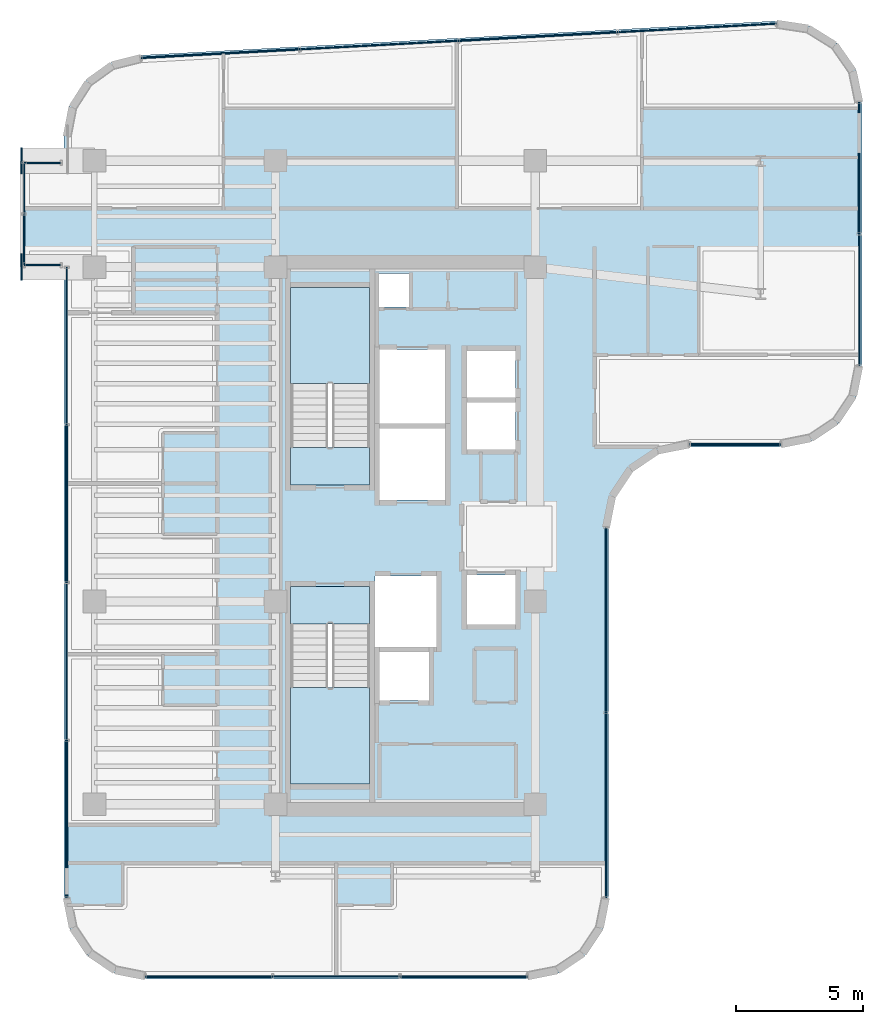
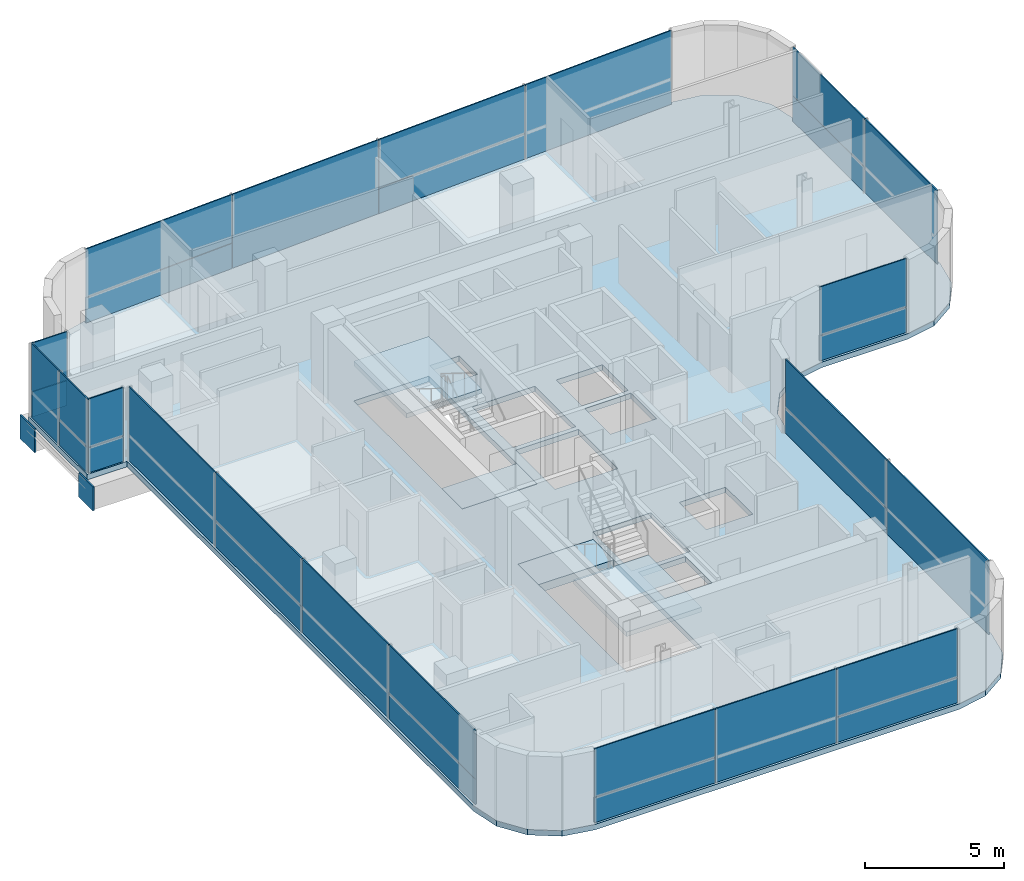
# One storey, part 16 of 23: 34 plates, 5 slabs, 11 elements without a shape of their own.
"""IFC4 building model written with IfcOpenShell, lengths in metres."""

from ifc_helpers import new_model, si_unit, direction, frame, origin, origin_2d, place, context, subcontext, project, spatial, polyline, rectangle, outline, extrude, source, transform, mapped, material, layer, layer_set, type_object, element, aggregate, save


model = new_model("IFC4")

# Units and contexts
model_context = context("Model", 3, precision=1e-05, world=origin(), true_north=direction((0.0, 1.0)))
body_context = subcontext(model_context, "Body", "Model", "MODEL_VIEW")
ifc_project = project(units=[si_unit("LENGTHUNIT", "METRE"), si_unit("AREAUNIT", "SQUARE_METRE"), si_unit("VOLUMEUNIT", "CUBIC_METRE"), si_unit("PLANEANGLEUNIT", "RADIAN"), si_unit("MASSUNIT", "GRAM", prefix="KILO")], contexts=[model_context])

# Site, building, storey
site_placement = place(None, origin())
site = spatial("IfcSite", under=ifc_project, at=site_placement, CompositionType="ELEMENT")
building_placement = place(site_placement, origin())
building = spatial("IfcBuilding", under=site, at=building_placement, Name="Valdorenza Pilgrim Sanctuary Tower", CompositionType="ELEMENT")
storey_placement = place(building_placement, frame((0.0, 0.0, 226.5)))
storey = spatial("IfcBuildingStorey", under=building, at=storey_placement, Name="L58", CompositionType="ELEMENT", Elevation=226.5)

# Slab
ifc_material_1 = material(Name="Concrete C40/50", Category="concrete")
ifc_layer_1 = layer(ifc_material_1, 0.239990234375, Name="Concrete C40/50")
ifc_layer_set_1 = layer_set([ifc_layer_1], Name="Concrete C40/50")
slab_type_1 = type_object("IfcSlabType", Name="SLAB-FLR-220", PredefinedType="FLOOR", material=ifc_layer_set_1)
slab_1_placement = place(storey_placement, frame((0.0, 0.0, -0.239990234375)))
element("IfcSlab", 1, at=slab_1_placement, inside=storey, type_object=slab_type_1, Name="L58 Structural Floor Slab 1", PredefinedType="FLOOR", context=body_context, shape_type="SweptSolid", body=[
    extrude(outline(polyline([(-30.772705078125, 16.95263671875), (-30.122802734375, 17.968994140625), (-29.14306640625, 18.672607421875), (-27.972412109375, 18.96337890625), (-2.872314453125, 20.318115234375), (-1.595947265625, 20.126220703125), (-0.4990234375, 19.445556640625), (0.239501953125, 18.386962890625), (0.5, 17.12255859375), (0.5, 6.699951171875), (0.25634765625, 5.475341796875), (-0.437255859375, 4.437255859375), (-1.475341796875, 3.74365234375), (-2.699951171875, 3.5), (-6.300048828125, 3.5), (-7.524658203125, 3.25634765625), (-8.562744140625, 2.562744140625), (-9.25634765625, 1.524658203125), (-9.5, 0.300048828125), (-9.5, -14.300048828125), (-9.74365234375, -15.524658203125), (-10.437255859375, -16.562744140625), (-11.475341796875, -17.25634765625), (-12.699951171875, -17.5), (-27.800048828125, -17.5), (-29.024658203125, -17.25634765625), (-30.062744140625, -16.562744140625), (-30.75634765625, -15.524658203125), (-31.0, -14.300048828125), (-31.0, 10.60009765625), (-32.64990234375, 10.60009765625), (-32.64990234375, 14.800048828125), (-31.0, 14.800048828125), (-31.0, 15.76806640625), (-30.772705078125, 16.95263671875)]), holes=[polyline([(-22.050048828125, -9.800048828125), (-18.93994140625, -9.800048828125), (-18.93994140625, -3.485107421875), (-18.93994140625, -2.0), (-22.050048828125, -2.0), (-22.050048828125, -3.485107421875), (-22.050048828125, -9.800048828125)]), polyline([(-16.60009765625, -6.5), (-16.60009765625, -4.60009765625), (-18.550048828125, -4.60009765625), (-18.550048828125, -6.5), (-16.60009765625, -6.5)]), polyline([(-22.050048828125, 2.0), (-18.93994140625, 2.0), (-18.93994140625, 3.485107421875), (-18.93994140625, 9.800048828125), (-22.050048828125, 9.800048828125), (-22.050048828125, 3.485107421875), (-22.050048828125, 2.0)]), polyline([(-17.360107421875, 9.030029296875), (-17.360107421875, 10.35009765625), (-18.570068359375, 10.35009765625), (-18.570068359375, 9.030029296875), (-17.360107421875, 9.030029296875)]), polyline([(-16.300048828125, -1.60009765625), (-18.719970703125, -1.60009765625), (-18.719970703125, -4.39990234375), (-16.300048828125, -4.39990234375), (-16.300048828125, -1.60009765625)]), polyline([(-13.179931640625, -3.5), (-13.179931640625, -1.550048828125), (-15.10009765625, -1.550048828125), (-15.10009765625, -3.5), (-13.179931640625, -3.5)]), polyline([(-15.949951171875, 1.39990234375), (-15.949951171875, 4.22509765625), (-18.550048828125, 4.22509765625), (-18.550048828125, 1.39990234375), (-15.949951171875, 1.39990234375)]), polyline([(-13.179931640625, 5.25), (-15.10009765625, 5.25), (-15.10009765625, 3.39990234375), (-13.179931640625, 3.39990234375), (-13.179931640625, 5.25)]), polyline([(-15.949951171875, 4.425048828125), (-15.949951171875, 7.35009765625), (-18.550048828125, 7.35009765625), (-18.550048828125, 4.425048828125), (-15.949951171875, 4.425048828125)]), polyline([(-13.179931640625, 5.449951171875), (-13.179931640625, 7.300048828125), (-15.10009765625, 7.300048828125), (-15.10009765625, 5.449951171875), (-13.179931640625, 5.449951171875)])]), origin(), (0.0, 0.0, 1.0), 0.239990234375),
])

# Stair, slab
stair_type = type_object("IfcStairType", Name="STR-DOG-CORE", PredefinedType="HALF_TURN_STAIR", material=ifc_material_1)
stair_1_placement = place(storey_placement, origin())
stair_1 = element("IfcStair", 2, at=stair_1_placement, inside=storey, type_object=stair_type, Name="L58 ST-A1", PredefinedType="HALF_TURN_STAIR")
ifc_layer_2 = layer(ifc_material_1, 0.199951171875, Name="Concrete C40/50")
ifc_layer_set_2 = layer_set([ifc_layer_2], Name="Concrete C40/50")
slab_type_2 = type_object("IfcSlabType", Name="SLAB-STL-200", PredefinedType="LANDING", material=ifc_layer_set_2)
slab_2_placement = place(storey_placement, frame((0.0, 0.0, 1.550048828125)))
slab_2 = element("IfcSlab", 3, at=slab_2_placement, type_object=slab_type_2, Name="ST-A1 landing 1", PredefinedType="LANDING", context=body_context, shape_type="SweptSolid", body=[
    extrude(outline(polyline([(-18.93994140625, 6.0), (-18.93994140625, 9.800048828125), (-22.050048828125, 9.800048828125), (-22.050048828125, 6.0), (-18.93994140625, 6.0)])), origin(), (0.0, 0.0, 1.0), 0.199951171875),
])
aggregate(stair_1, [slab_2])

stair_2_placement = place(storey_placement, origin())
stair_2 = element("IfcStair", 4, at=stair_2_placement, inside=storey, type_object=stair_type, Name="L58 ST-A2", PredefinedType="HALF_TURN_STAIR")
slab_3_placement = place(storey_placement, frame((0.0, 0.0, 1.550048828125)))
slab_3 = element("IfcSlab", 5, at=slab_3_placement, type_object=slab_type_2, Name="ST-A2 landing 1", PredefinedType="LANDING", context=body_context, shape_type="SweptSolid", body=[
    extrude(outline(polyline([(-22.050048828125, -6.0), (-22.050048828125, -9.800048828125), (-18.93994140625, -9.800048828125), (-18.93994140625, -6.0), (-22.050048828125, -6.0)])), origin(), (0.0, 0.0, 1.0), 0.199951171875),
])
aggregate(stair_2, [slab_3])

# Slabs
ifc_material_2 = material(Name="Concrete C50/60", Category="concrete")
ifc_layer_3 = layer(ifc_material_2, 0.39990234375, Name="Concrete C50/60")
ifc_layer_set_3 = layer_set([ifc_layer_3], Name="Concrete C50/60")
slab_type_3 = type_object("IfcSlabType", Name="SLAB-TRF-400", PredefinedType="FLOOR", material=ifc_layer_set_3)
slab_4_placement = place(storey_placement, frame((0.0, 0.0, -0.360107421875)))
element("IfcSlab", 6, at=slab_4_placement, inside=storey, type_object=slab_type_3, Name="L58 ST-A1 Structural Stair Landing Bearing Slab", PredefinedType="FLOOR", context=body_context, shape_type="SweptSolid", body=[
    extrude(outline(polyline([(-22.050048828125, 2.0), (-18.93994140625, 2.0), (-18.93994140625, 3.485107421875), (-22.050048828125, 3.485107421875), (-22.050048828125, 2.0)])), origin(), (0.0, 0.0, 1.0), 0.360107421875),
])
slab_5_placement = place(storey_placement, frame((0.0, 0.0, -0.360107421875)))
element("IfcSlab", 7, at=slab_5_placement, inside=storey, type_object=slab_type_3, Name="L58 ST-A2 Structural Stair Landing Bearing Slab", PredefinedType="FLOOR", context=body_context, shape_type="SweptSolid", body=[
    extrude(outline(polyline([(-22.050048828125, -3.485107421875), (-18.93994140625, -3.485107421875), (-18.93994140625, -2.0), (-22.050048828125, -2.0), (-22.050048828125, -3.485107421875)])), origin(), (0.0, 0.0, 1.0), 0.360107421875),
])

# Plates
ifc_material_3 = material(Name="Steel ASTM A572 Grade 42", Category="steel")
ifc_layer_4 = layer(ifc_material_3, 0.06005859375, Name="Steel ASTM A572 Grade 42")
ifc_layer_set_4 = layer_set([ifc_layer_4], Name="Steel ASTM A572 Grade 42")
plate_type_1 = type_object("IfcPlateType", Name="PLT-CAP-60", PredefinedType="SHEET", material=ifc_layer_set_4)
shared_shape_1 = source(origin(), body_context, "Body", "SweptSolid", [
    extrude(rectangle(XDim=0.06005859375, YDim=1.0400390625, at=origin_2d()), origin(), (0.0, 0.0, 1.0), 1.0400390625),
])
for number, where, z_axis, x_axis, name in (
    (8, (-32.679931640625, 14.800048828125, -1.260009765625), (0.0, 0.0, 1.0), (1.0, 0.0, 0.0), "L58 BOX-WA-L58 Cantilever Tip End Cap N"),
    (9, (-32.679931640625, 10.60009765625, -1.260009765625), (0.0, 0.0, 1.0), (1.0, 0.0, 0.0), "L58 BOX-WA-L58 Cantilever Tip End Cap S"),
):
    element("IfcPlate", number, at=place(storey_placement, frame(where, z_axis=z_axis, x_axis=x_axis)), inside=storey, type_object=plate_type_1, Name=name, PredefinedType="SHEET", context=body_context, shape_type="MappedRepresentation", body=[
        mapped(shared_shape_1, transform((0.0, 0.0, 0.0), x_axis=(1.0, 0.0, 0.0), y_axis=(0.0, 1.0, 0.0), z_axis=(0.0, 0.0, 1.0), scale=1.0)),
    ])

# Curtain wall, plate
ifc_material_4 = material(Name="Curtain-wall IGU glazing", Category="glass")
curtain_wall_type = type_object("IfcCurtainWallType", Name="CW-SYS-02", PredefinedType="NOTDEFINED", material=ifc_material_4)
curtain_wall_1_placement = place(storey_placement, origin())
curtain_wall_1 = element("IfcCurtainWall", 10, at=curtain_wall_1_placement, inside=storey, type_object=curtain_wall_type, Name="L58 Curtain Wall CW-L58-BOX-WA-L58-S", PredefinedType="NOTDEFINED")
ifc_material_5 = material(Name="Honed travertine limestone", Category="masonry")
ifc_layer_5 = layer(ifc_material_5, 0.050048828125, Name="Honed travertine limestone")
ifc_layer_set_5 = layer_set([ifc_layer_5], Name="Honed travertine limestone")
plate_type_2 = type_object("IfcPlateType", Name="CW-SPN-TRV", PredefinedType="USERDEFINED", material=ifc_layer_set_5)
shared_shape_2 = source(origin(), body_context, "Body", "SweptSolid", [
    extrude(rectangle(XDim=1.43994140625, YDim=0.06005859375, at=origin_2d()), origin(), (0.0, 0.0, 1.0), 1.10009765625),
])
plate_1_placement = place(storey_placement, frame((-31.840087890625, 10.679931640625, 0.010009765625), z_axis=(0.0, 0.0, 1.0), x_axis=(-1.0, 0.0, 0.0)))
plate_1 = element("IfcPlate", 11, at=plate_1_placement, type_object=plate_type_2, Name="CW-L58-BOX-WA-L58-S Travertine Spandrel 1", ObjectType="SPANDREL", PredefinedType="USERDEFINED", context=body_context, shape_type="MappedRepresentation", body=[
    mapped(shared_shape_2, transform((0.0, 0.0, 0.0), x_axis=(1.0, 0.0, 0.0), y_axis=(0.0, 1.0, 0.0), z_axis=(0.0, 0.0, 1.0), scale=1.0)),
])

curtain_wall_2_placement = place(storey_placement, origin())
curtain_wall_2 = element("IfcCurtainWall", 12, at=curtain_wall_2_placement, inside=storey, type_object=curtain_wall_type, Name="L58 Curtain Wall CW-L58-BOX-WA-L58-N", PredefinedType="NOTDEFINED")
plate_2_placement = place(storey_placement, frame((-31.840087890625, 14.719970703125, 0.010009765625), z_axis=(0.0, 0.0, 1.0), x_axis=(1.0, 0.0, 0.0)))
plate_2 = element("IfcPlate", 13, at=plate_2_placement, type_object=plate_type_2, Name="CW-L58-BOX-WA-L58-N Travertine Spandrel 1", ObjectType="SPANDREL", PredefinedType="USERDEFINED", context=body_context, shape_type="MappedRepresentation", body=[
    mapped(shared_shape_2, transform((0.0, 0.0, 0.0), x_axis=(1.0, 0.0, 0.0), y_axis=(0.0, 1.0, 0.0), z_axis=(0.0, 0.0, 1.0), scale=1.0)),
])

curtain_wall_3_placement = place(storey_placement, origin())
curtain_wall_3 = element("IfcCurtainWall", 14, at=curtain_wall_3_placement, inside=storey, type_object=curtain_wall_type, Name="L58 Curtain Wall CW-L58-BOX-WA-L58-F", PredefinedType="NOTDEFINED")
shared_shape_3 = source(origin(), body_context, "Body", "SweptSolid", [
    extrude(rectangle(XDim=2.0, YDim=0.06005859375, at=origin_2d()), origin(), (0.0, 0.0, 1.0), 1.10009765625),
])
plate_3_placement = place(storey_placement, frame((-32.570068359375, 11.68994140625, 0.010009765625), z_axis=(0.0, 0.0, 1.0), x_axis=(0.0, 1.0, 0.0)))
plate_3 = element("IfcPlate", 15, at=plate_3_placement, type_object=plate_type_2, Name="CW-L58-BOX-WA-L58-F Travertine Spandrel 1", ObjectType="SPANDREL", PredefinedType="USERDEFINED", context=body_context, shape_type="MappedRepresentation", body=[
    mapped(shared_shape_3, transform((0.0, 0.0, 0.0), x_axis=(1.0, 0.0, 0.0), y_axis=(0.0, 1.0, 0.0), z_axis=(0.0, 0.0, 1.0), scale=1.0)),
])

# Curtain wall, plates
curtain_wall_4_placement = place(storey_placement, origin())
curtain_wall_4 = element("IfcCurtainWall", 16, at=curtain_wall_4_placement, inside=storey, type_object=curtain_wall_type, Name="L58 Curtain Wall CW-L58-1-26", PredefinedType="NOTDEFINED")
shared_shape_4 = source(origin(), body_context, "Body", "SweptSolid", [
    extrude(rectangle(XDim=5.006103515625, YDim=0.06005859375, at=origin_2d()), origin(), (0.0, 0.0, 1.0), 1.10009765625),
])
plate_4_placement = place(storey_placement, frame((-15.223876953125, -17.389892578125, 0.010009765625), z_axis=(0.0, 0.0, 1.0), x_axis=(-1.0, 0.0, 0.0)))
plate_4 = element("IfcPlate", 17, at=plate_4_placement, type_object=plate_type_2, Name="CW-L58-1-26 Travertine Spandrel 1", ObjectType="SPANDREL", PredefinedType="USERDEFINED", context=body_context, shape_type="MappedRepresentation", body=[
    mapped(shared_shape_4, transform((0.0, 0.0, 0.0), x_axis=(1.0, 0.0, 0.0), y_axis=(0.0, 1.0, 0.0), z_axis=(0.0, 0.0, 1.0), scale=1.0)),
])
plate_5_placement = place(storey_placement, frame((-25.276123046875, -17.389892578125, 0.010009765625), z_axis=(0.0, 0.0, 1.0), x_axis=(-1.0, 0.0, 0.0)))
plate_5 = element("IfcPlate", 18, at=plate_5_placement, type_object=plate_type_2, Name="CW-L58-1-26 Travertine Spandrel 3", ObjectType="SPANDREL", PredefinedType="USERDEFINED", context=body_context, shape_type="MappedRepresentation", body=[
    mapped(shared_shape_4, transform((0.0, 0.0, 0.0), x_axis=(1.0, 0.0, 0.0), y_axis=(0.0, 1.0, 0.0), z_axis=(0.0, 0.0, 1.0), scale=1.0)),
])

curtain_wall_5_placement = place(storey_placement, origin())
curtain_wall_5 = element("IfcCurtainWall", 19, at=curtain_wall_5_placement, inside=storey, type_object=curtain_wall_type, Name="L58 Curtain Wall CW-L58-1-1S1", PredefinedType="NOTDEFINED")
shared_shape_5 = source(origin(), body_context, "Body", "SweptSolid", [
    extrude(rectangle(XDim=6.202392578125, YDim=0.06005859375, at=origin_2d()), origin(), (0.0, 0.0, 1.0), 1.10009765625),
])
plate_6_placement = place(storey_placement, frame((-30.889892578125, -11.177978515625, 0.010009765625), z_axis=(0.0, 0.0, 1.0), x_axis=(0.0, 1.0, 0.0)))
plate_6 = element("IfcPlate", 20, at=plate_6_placement, type_object=plate_type_2, Name="CW-L58-1-1S1 Travertine Spandrel 1", ObjectType="SPANDREL", PredefinedType="USERDEFINED", context=body_context, shape_type="MappedRepresentation", body=[
    mapped(shared_shape_5, transform((0.0, 0.0, 0.0), x_axis=(1.0, 0.0, 0.0), y_axis=(0.0, 1.0, 0.0), z_axis=(0.0, 0.0, 1.0), scale=1.0)),
])
plate_7_placement = place(storey_placement, frame((-30.889892578125, 1.2666015625, 0.010009765625), z_axis=(0.0, 0.0, 1.0), x_axis=(0.0, 1.0, 0.0)))
plate_7 = element("IfcPlate", 21, at=plate_7_placement, type_object=plate_type_2, Name="CW-L58-1-1S1 Travertine Spandrel 3", ObjectType="SPANDREL", PredefinedType="USERDEFINED", context=body_context, shape_type="MappedRepresentation", body=[
    mapped(shared_shape_5, transform((0.0, 0.0, 0.0), x_axis=(1.0, 0.0, 0.0), y_axis=(0.0, 1.0, 0.0), z_axis=(0.0, 0.0, 1.0), scale=1.0)),
])

curtain_wall_6_placement = place(storey_placement, origin())
curtain_wall_6 = element("IfcCurtainWall", 22, at=curtain_wall_6_placement, inside=storey, type_object=curtain_wall_type, Name="L58 Curtain Wall CW-L58-1-6", PredefinedType="NOTDEFINED")
shared_shape_6 = source(origin(), body_context, "Body", "SweptSolid", [
    extrude(rectangle(XDim=6.2587890625, YDim=0.06005859375, at=origin_2d()), origin(), (0.0, 0.0, 1.0), 1.10009765625),
])
plate_8_placement = place(storey_placement, frame((-24.8212890625, 19.023193359375, 0.010009765625), z_axis=(0.0, 0.0, 1.0), x_axis=(0.998547034311, 0.053887106711, 0.0)))
plate_8 = element("IfcPlate", 23, at=plate_8_placement, type_object=plate_type_2, Name="CW-L58-1-6 Travertine Spandrel 1", ObjectType="SPANDREL", PredefinedType="USERDEFINED", context=body_context, shape_type="MappedRepresentation", body=[
    mapped(shared_shape_6, transform((0.0, 0.0, 0.0), x_axis=(1.0, 0.0, 0.0), y_axis=(0.0, 1.0, 0.0), z_axis=(0.0, 0.0, 1.0), scale=1.0)),
])
plate_9_placement = place(storey_placement, frame((-12.281982421875, 19.699951171875, 0.010009765625), z_axis=(0.0, 0.0, 1.0), x_axis=(0.998547034311, 0.053887106711, 0.0)))
plate_9 = element("IfcPlate", 24, at=plate_9_placement, type_object=plate_type_2, Name="CW-L58-1-6 Travertine Spandrel 3", ObjectType="SPANDREL", PredefinedType="USERDEFINED", context=body_context, shape_type="MappedRepresentation", body=[
    mapped(shared_shape_6, transform((0.0, 0.0, 0.0), x_axis=(1.0, 0.0, 0.0), y_axis=(0.0, 1.0, 0.0), z_axis=(0.0, 0.0, 1.0), scale=1.0)),
])

# Curtain wall, plate
curtain_wall_7_placement = place(storey_placement, origin())
curtain_wall_7 = element("IfcCurtainWall", 25, at=curtain_wall_7_placement, inside=storey, type_object=curtain_wall_type, Name="L58 Curtain Wall CW-L58-1-16", PredefinedType="NOTDEFINED")
shared_shape_7 = source(origin(), body_context, "Body", "SweptSolid", [
    extrude(rectangle(XDim=3.580078125, YDim=0.06005859375, at=origin_2d()), origin(), (0.0, 0.0, 1.0), 1.10009765625),
])
plate_10_placement = place(storey_placement, frame((-4.5107421875, 3.610107421875, 0.010009765625), z_axis=(0.0, 0.0, 1.0), x_axis=(-1.0, 0.0, 0.0)))
plate_10 = element("IfcPlate", 26, at=plate_10_placement, type_object=plate_type_2, Name="CW-L58-1-16 Travertine Spandrel 1", ObjectType="SPANDREL", PredefinedType="USERDEFINED", context=body_context, shape_type="MappedRepresentation", body=[
    mapped(shared_shape_7, transform((0.0, 0.0, 0.0), x_axis=(1.0, 0.0, 0.0), y_axis=(0.0, 1.0, 0.0), z_axis=(0.0, 0.0, 1.0), scale=1.0)),
])

curtain_wall_8_placement = place(storey_placement, origin())
curtain_wall_8 = element("IfcCurtainWall", 27, at=curtain_wall_8_placement, inside=storey, type_object=curtain_wall_type, Name="L58 Curtain Wall CW-L58-1-21", PredefinedType="NOTDEFINED")
shared_shape_8 = source(origin(), body_context, "Body", "SweptSolid", [
    extrude(rectangle(XDim=7.280029296875, YDim=0.06005859375, at=origin_2d()), origin(), (0.0, 0.0, 1.0), 1.10009765625),
])
plate_11_placement = place(storey_placement, frame((-9.610107421875, -3.339111328125, 0.010009765625), z_axis=(0.0, 0.0, 1.0), x_axis=(0.0, -1.0, 0.0)))
plate_11 = element("IfcPlate", 28, at=plate_11_placement, type_object=plate_type_2, Name="CW-L58-1-21 Travertine Spandrel 1", ObjectType="SPANDREL", PredefinedType="USERDEFINED", context=body_context, shape_type="MappedRepresentation", body=[
    mapped(shared_shape_8, transform((0.0, 0.0, 0.0), x_axis=(1.0, 0.0, 0.0), y_axis=(0.0, 1.0, 0.0), z_axis=(0.0, 0.0, 1.0), scale=1.0)),
])

curtain_wall_9_placement = place(storey_placement, origin())
curtain_wall_9 = element("IfcCurtainWall", 29, at=curtain_wall_9_placement, inside=storey, type_object=curtain_wall_type, Name="L58 Curtain Wall CW-L58-1-11", PredefinedType="NOTDEFINED")
shared_shape_9 = source(origin(), body_context, "Body", "SweptSolid", [
    extrude(rectangle(XDim=5.180419921875, YDim=0.06005859375, at=origin_2d()), origin(), (0.0, 0.0, 1.0), 1.10009765625),
])
plate_12_placement = place(storey_placement, frame((0.389892578125, 14.51123046875, 0.010009765625), z_axis=(0.0, 0.0, 1.0), x_axis=(0.0, -1.0, 0.0)))
plate_12 = element("IfcPlate", 30, at=plate_12_placement, type_object=plate_type_2, Name="CW-L58-1-11 Travertine Spandrel 1", ObjectType="SPANDREL", PredefinedType="USERDEFINED", context=body_context, shape_type="MappedRepresentation", body=[
    mapped(shared_shape_9, transform((0.0, 0.0, 0.0), x_axis=(1.0, 0.0, 0.0), y_axis=(0.0, 1.0, 0.0), z_axis=(0.0, 0.0, 1.0), scale=1.0)),
])

# Plate
ifc_material_6 = material(Name="Ceramic-fritted low-E IGU glazing", Category="glass")
ifc_layer_6 = layer(ifc_material_6, 0.035888671875, Name="Ceramic-fritted low-E IGU glazing")
ifc_layer_set_6 = layer_set([ifc_layer_6], Name="Ceramic-fritted low-E IGU glazing")
plate_type_3 = type_object("IfcPlateType", Name="CW-GLZ-IGU", PredefinedType="USERDEFINED", material=ifc_layer_set_6)
shared_shape_10 = source(origin(), body_context, "Body", "SweptSolid", [
    extrude(rectangle(XDim=6.2587890625, YDim=0.050048828125, at=origin_2d()), origin(), (0.0, 0.0, 1.0), 2.1201171875),
])
plate_13_placement = place(storey_placement, frame((-24.8212890625, 19.023193359375, 1.1298828125), z_axis=(0.0, 0.0, 1.0), x_axis=(0.998547034311, 0.053887106711, 0.0)))
plate_13 = element("IfcPlate", 31, at=plate_13_placement, type_object=plate_type_3, Name="CW-L58-1-6 Facade Panel 1", ObjectType="GLAZING", PredefinedType="USERDEFINED", context=body_context, shape_type="MappedRepresentation", body=[
    mapped(shared_shape_10, transform((0.0, 0.0, 0.0), x_axis=(1.0, 0.0, 0.0), y_axis=(0.0, 1.0, 0.0), z_axis=(0.0, 0.0, 1.0), scale=1.0)),
])

plate_14_placement = place(storey_placement, frame((-12.281982421875, 19.699951171875, 1.1298828125), z_axis=(0.0, 0.0, 1.0), x_axis=(0.998547034311, 0.053887106711, 0.0)))
plate_14 = element("IfcPlate", 32, at=plate_14_placement, type_object=plate_type_3, Name="CW-L58-1-6 Facade Panel 3", ObjectType="GLAZING", PredefinedType="USERDEFINED", context=body_context, shape_type="MappedRepresentation", body=[
    mapped(shared_shape_10, transform((0.0, 0.0, 0.0), x_axis=(1.0, 0.0, 0.0), y_axis=(0.0, 1.0, 0.0), z_axis=(0.0, 0.0, 1.0), scale=1.0)),
])

shared_shape_11 = source(origin(), body_context, "Body", "SweptSolid", [
    extrude(rectangle(XDim=6.2587890625, YDim=0.050048828125, at=origin_2d()), origin(), (0.0, 0.0, 1.0), 3.239990234375),
])
plate_15_placement = place(storey_placement, frame((-18.551513671875, 19.36181640625, 0.009765625), z_axis=(0.0, 0.0, 1.0), x_axis=(0.998547034311, 0.053887106711, 0.0)))
plate_15 = element("IfcPlate", 33, at=plate_15_placement, type_object=plate_type_3, Name="CW-L58-1-6 Full-Height Facade Panel 2", ObjectType="GLAZING", PredefinedType="USERDEFINED", context=body_context, shape_type="MappedRepresentation", body=[
    mapped(shared_shape_11, transform((0.0, 0.0, 0.0), x_axis=(1.0, 0.0, 0.0), y_axis=(0.0, 1.0, 0.0), z_axis=(0.0, 0.0, 1.0), scale=1.0)),
])

plate_16_placement = place(storey_placement, frame((-6.012451171875, 20.038330078125, 0.009765625), z_axis=(0.0, 0.0, 1.0), x_axis=(0.998547034311, 0.053887106711, 0.0)))
plate_16 = element("IfcPlate", 34, at=plate_16_placement, type_object=plate_type_3, Name="CW-L58-1-6 Full-Height Facade Panel 4", ObjectType="GLAZING", PredefinedType="USERDEFINED", context=body_context, shape_type="MappedRepresentation", body=[
    mapped(shared_shape_11, transform((0.0, 0.0, 0.0), x_axis=(1.0, 0.0, 0.0), y_axis=(0.0, 1.0, 0.0), z_axis=(0.0, 0.0, 1.0), scale=1.0)),
])

aggregate(curtain_wall_6, [plate_8, plate_13, plate_15, plate_9, plate_14, plate_16])

shared_shape_12 = source(origin(), body_context, "Body", "SweptSolid", [
    extrude(rectangle(XDim=5.180419921875, YDim=0.050048828125, at=origin_2d()), origin(), (0.0, 0.0, 1.0), 2.1201171875),
])
plate_17_placement = place(storey_placement, frame((0.389892578125, 14.51123046875, 1.1298828125), z_axis=(0.0, 0.0, 1.0), x_axis=(0.0, -1.0, 0.0)))
plate_17 = element("IfcPlate", 35, at=plate_17_placement, type_object=plate_type_3, Name="CW-L58-1-11 Facade Panel 1", ObjectType="GLAZING", PredefinedType="USERDEFINED", context=body_context, shape_type="MappedRepresentation", body=[
    mapped(shared_shape_12, transform((0.0, 0.0, 0.0), x_axis=(1.0, 0.0, 0.0), y_axis=(0.0, 1.0, 0.0), z_axis=(0.0, 0.0, 1.0), scale=1.0)),
])

shared_shape_13 = source(origin(), body_context, "Body", "SweptSolid", [
    extrude(rectangle(XDim=5.180419921875, YDim=0.050048828125, at=origin_2d()), origin(), (0.0, 0.0, 1.0), 3.239990234375),
])
plate_18_placement = place(storey_placement, frame((0.389892578125, 9.310791015625, 0.009765625), z_axis=(0.0, 0.0, 1.0), x_axis=(0.0, -1.0, 0.0)))
plate_18 = element("IfcPlate", 36, at=plate_18_placement, type_object=plate_type_3, Name="CW-L58-1-11 Full-Height Facade Panel 2", ObjectType="GLAZING", PredefinedType="USERDEFINED", context=body_context, shape_type="MappedRepresentation", body=[
    mapped(shared_shape_13, transform((0.0, 0.0, 0.0), x_axis=(1.0, 0.0, 0.0), y_axis=(0.0, 1.0, 0.0), z_axis=(0.0, 0.0, 1.0), scale=1.0)),
])

aggregate(curtain_wall_9, [plate_12, plate_17, plate_18])

shared_shape_14 = source(origin(), body_context, "Body", "SweptSolid", [
    extrude(rectangle(XDim=3.580078125, YDim=0.050048828125, at=origin_2d()), origin(), (0.0, 0.0, 1.0), 2.1201171875),
])
plate_19_placement = place(storey_placement, frame((-4.5107421875, 3.610107421875, 1.1298828125), z_axis=(0.0, 0.0, 1.0), x_axis=(-1.0, 0.0, 0.0)))
plate_19 = element("IfcPlate", 37, at=plate_19_placement, type_object=plate_type_3, Name="CW-L58-1-16 Facade Panel 1", ObjectType="GLAZING", PredefinedType="USERDEFINED", context=body_context, shape_type="MappedRepresentation", body=[
    mapped(shared_shape_14, transform((0.0, 0.0, 0.0), x_axis=(1.0, 0.0, 0.0), y_axis=(0.0, 1.0, 0.0), z_axis=(0.0, 0.0, 1.0), scale=1.0)),
])

aggregate(curtain_wall_7, [plate_10, plate_19])

shared_shape_15 = source(origin(), body_context, "Body", "SweptSolid", [
    extrude(rectangle(XDim=7.280029296875, YDim=0.050048828125, at=origin_2d()), origin(), (0.0, 0.0, 1.0), 2.1201171875),
])
plate_20_placement = place(storey_placement, frame((-9.610107421875, -3.339111328125, 1.1298828125), z_axis=(0.0, 0.0, 1.0), x_axis=(0.0, -1.0, 0.0)))
plate_20 = element("IfcPlate", 38, at=plate_20_placement, type_object=plate_type_3, Name="CW-L58-1-21 Facade Panel 1", ObjectType="GLAZING", PredefinedType="USERDEFINED", context=body_context, shape_type="MappedRepresentation", body=[
    mapped(shared_shape_15, transform((0.0, 0.0, 0.0), x_axis=(1.0, 0.0, 0.0), y_axis=(0.0, 1.0, 0.0), z_axis=(0.0, 0.0, 1.0), scale=1.0)),
])

shared_shape_16 = source(origin(), body_context, "Body", "SweptSolid", [
    extrude(rectangle(XDim=7.280029296875, YDim=0.050048828125, at=origin_2d()), origin(), (0.0, 0.0, 1.0), 3.239990234375),
])
plate_21_placement = place(storey_placement, frame((-9.610107421875, -10.63916015625, 0.009765625), z_axis=(0.0, 0.0, 1.0), x_axis=(0.0, -1.0, 0.0)))
plate_21 = element("IfcPlate", 39, at=plate_21_placement, type_object=plate_type_3, Name="CW-L58-1-21 Full-Height Facade Panel 2", ObjectType="GLAZING", PredefinedType="USERDEFINED", context=body_context, shape_type="MappedRepresentation", body=[
    mapped(shared_shape_16, transform((0.0, 0.0, 0.0), x_axis=(1.0, 0.0, 0.0), y_axis=(0.0, 1.0, 0.0), z_axis=(0.0, 0.0, 1.0), scale=1.0)),
])

aggregate(curtain_wall_8, [plate_11, plate_20, plate_21])

shared_shape_17 = source(origin(), body_context, "Body", "SweptSolid", [
    extrude(rectangle(XDim=5.006103515625, YDim=0.050048828125, at=origin_2d()), origin(), (0.0, 0.0, 1.0), 2.1201171875),
])
plate_22_placement = place(storey_placement, frame((-15.223876953125, -17.389892578125, 1.1298828125), z_axis=(0.0, 0.0, 1.0), x_axis=(-1.0, 0.0, 0.0)))
plate_22 = element("IfcPlate", 40, at=plate_22_placement, type_object=plate_type_3, Name="CW-L58-1-26 Facade Panel 1", ObjectType="GLAZING", PredefinedType="USERDEFINED", context=body_context, shape_type="MappedRepresentation", body=[
    mapped(shared_shape_17, transform((0.0, 0.0, 0.0), x_axis=(1.0, 0.0, 0.0), y_axis=(0.0, 1.0, 0.0), z_axis=(0.0, 0.0, 1.0), scale=1.0)),
])

plate_23_placement = place(storey_placement, frame((-25.276123046875, -17.389892578125, 1.1298828125), z_axis=(0.0, 0.0, 1.0), x_axis=(-1.0, 0.0, 0.0)))
plate_23 = element("IfcPlate", 41, at=plate_23_placement, type_object=plate_type_3, Name="CW-L58-1-26 Facade Panel 3", ObjectType="GLAZING", PredefinedType="USERDEFINED", context=body_context, shape_type="MappedRepresentation", body=[
    mapped(shared_shape_17, transform((0.0, 0.0, 0.0), x_axis=(1.0, 0.0, 0.0), y_axis=(0.0, 1.0, 0.0), z_axis=(0.0, 0.0, 1.0), scale=1.0)),
])

shared_shape_18 = source(origin(), body_context, "Body", "SweptSolid", [
    extrude(rectangle(XDim=5.006103515625, YDim=0.050048828125, at=origin_2d()), origin(), (0.0, 0.0, 1.0), 3.239990234375),
])
plate_24_placement = place(storey_placement, frame((-20.25, -17.389892578125, 0.009765625), z_axis=(0.0, 0.0, 1.0), x_axis=(-1.0, 0.0, 0.0)))
plate_24 = element("IfcPlate", 42, at=plate_24_placement, type_object=plate_type_3, Name="CW-L58-1-26 Full-Height Facade Panel 2", ObjectType="GLAZING", PredefinedType="USERDEFINED", context=body_context, shape_type="MappedRepresentation", body=[
    mapped(shared_shape_18, transform((0.0, 0.0, 0.0), x_axis=(1.0, 0.0, 0.0), y_axis=(0.0, 1.0, 0.0), z_axis=(0.0, 0.0, 1.0), scale=1.0)),
])

aggregate(curtain_wall_4, [plate_4, plate_22, plate_24, plate_5, plate_23])

shared_shape_19 = source(origin(), body_context, "Body", "SweptSolid", [
    extrude(rectangle(XDim=1.43994140625, YDim=0.050048828125, at=origin_2d()), origin(), (0.0, 0.0, 1.0), 2.1201171875),
])
plate_25_placement = place(storey_placement, frame((-31.840087890625, 10.679931640625, 1.1298828125), z_axis=(0.0, 0.0, 1.0), x_axis=(-1.0, 0.0, 0.0)))
plate_25 = element("IfcPlate", 43, at=plate_25_placement, type_object=plate_type_3, Name="CW-L58-BOX-WA-L58-S Facade Panel 1", ObjectType="GLAZING", PredefinedType="USERDEFINED", context=body_context, shape_type="MappedRepresentation", body=[
    mapped(shared_shape_19, transform((0.0, 0.0, 0.0), x_axis=(1.0, 0.0, 0.0), y_axis=(0.0, 1.0, 0.0), z_axis=(0.0, 0.0, 1.0), scale=1.0)),
])

aggregate(curtain_wall_1, [plate_1, plate_25])

plate_26_placement = place(storey_placement, frame((-31.840087890625, 14.719970703125, 1.1298828125), z_axis=(0.0, 0.0, 1.0), x_axis=(1.0, 0.0, 0.0)))
plate_26 = element("IfcPlate", 44, at=plate_26_placement, type_object=plate_type_3, Name="CW-L58-BOX-WA-L58-N Facade Panel 1", ObjectType="GLAZING", PredefinedType="USERDEFINED", context=body_context, shape_type="MappedRepresentation", body=[
    mapped(shared_shape_19, transform((0.0, 0.0, 0.0), x_axis=(1.0, 0.0, 0.0), y_axis=(0.0, 1.0, 0.0), z_axis=(0.0, 0.0, 1.0), scale=1.0)),
])

aggregate(curtain_wall_2, [plate_2, plate_26])

shared_shape_20 = source(origin(), body_context, "Body", "SweptSolid", [
    extrude(rectangle(XDim=6.202392578125, YDim=0.050048828125, at=origin_2d()), origin(), (0.0, 0.0, 1.0), 2.1201171875),
])
plate_27_placement = place(storey_placement, frame((-30.889892578125, -11.177978515625, 1.1298828125), z_axis=(0.0, 0.0, 1.0), x_axis=(0.0, 1.0, 0.0)))
plate_27 = element("IfcPlate", 45, at=plate_27_placement, type_object=plate_type_3, Name="CW-L58-1-1S1 Facade Panel 1", ObjectType="GLAZING", PredefinedType="USERDEFINED", context=body_context, shape_type="MappedRepresentation", body=[
    mapped(shared_shape_20, transform((0.0, 0.0, 0.0), x_axis=(1.0, 0.0, 0.0), y_axis=(0.0, 1.0, 0.0), z_axis=(0.0, 0.0, 1.0), scale=1.0)),
])

plate_28_placement = place(storey_placement, frame((-30.889892578125, 1.2666015625, 1.1298828125), z_axis=(0.0, 0.0, 1.0), x_axis=(0.0, 1.0, 0.0)))
plate_28 = element("IfcPlate", 46, at=plate_28_placement, type_object=plate_type_3, Name="CW-L58-1-1S1 Facade Panel 3", ObjectType="GLAZING", PredefinedType="USERDEFINED", context=body_context, shape_type="MappedRepresentation", body=[
    mapped(shared_shape_20, transform((0.0, 0.0, 0.0), x_axis=(1.0, 0.0, 0.0), y_axis=(0.0, 1.0, 0.0), z_axis=(0.0, 0.0, 1.0), scale=1.0)),
])

shared_shape_21 = source(origin(), body_context, "Body", "SweptSolid", [
    extrude(rectangle(XDim=6.202392578125, YDim=0.050048828125, at=origin_2d()), origin(), (0.0, 0.0, 1.0), 3.239990234375),
])
plate_29_placement = place(storey_placement, frame((-30.889892578125, -4.955810546875, 0.009765625), z_axis=(0.0, 0.0, 1.0), x_axis=(0.0, 1.0, 0.0)))
plate_29 = element("IfcPlate", 47, at=plate_29_placement, type_object=plate_type_3, Name="CW-L58-1-1S1 Full-Height Facade Panel 2", ObjectType="GLAZING", PredefinedType="USERDEFINED", context=body_context, shape_type="MappedRepresentation", body=[
    mapped(shared_shape_21, transform((0.0, 0.0, 0.0), x_axis=(1.0, 0.0, 0.0), y_axis=(0.0, 1.0, 0.0), z_axis=(0.0, 0.0, 1.0), scale=1.0)),
])

plate_30_placement = place(storey_placement, frame((-30.889892578125, 7.489013671875, 0.009765625), z_axis=(0.0, 0.0, 1.0), x_axis=(0.0, 1.0, 0.0)))
plate_30 = element("IfcPlate", 48, at=plate_30_placement, type_object=plate_type_3, Name="CW-L58-1-1S1 Full-Height Facade Panel 4", ObjectType="GLAZING", PredefinedType="USERDEFINED", context=body_context, shape_type="MappedRepresentation", body=[
    mapped(shared_shape_21, transform((0.0, 0.0, 0.0), x_axis=(1.0, 0.0, 0.0), y_axis=(0.0, 1.0, 0.0), z_axis=(0.0, 0.0, 1.0), scale=1.0)),
])

aggregate(curtain_wall_5, [plate_6, plate_27, plate_29, plate_7, plate_28, plate_30])

shared_shape_22 = source(origin(), body_context, "Body", "SweptSolid", [
    extrude(rectangle(XDim=2.0, YDim=0.050048828125, at=origin_2d()), origin(), (0.0, 0.0, 1.0), 2.1201171875),
])
plate_31_placement = place(storey_placement, frame((-32.570068359375, 11.68994140625, 1.1298828125), z_axis=(0.0, 0.0, 1.0), x_axis=(0.0, 1.0, 0.0)))
plate_31 = element("IfcPlate", 49, at=plate_31_placement, type_object=plate_type_3, Name="CW-L58-BOX-WA-L58-F Facade Panel 1", ObjectType="GLAZING", PredefinedType="USERDEFINED", context=body_context, shape_type="MappedRepresentation", body=[
    mapped(shared_shape_22, transform((0.0, 0.0, 0.0), x_axis=(1.0, 0.0, 0.0), y_axis=(0.0, 1.0, 0.0), z_axis=(0.0, 0.0, 1.0), scale=1.0)),
])

shared_shape_23 = source(origin(), body_context, "Body", "SweptSolid", [
    extrude(rectangle(XDim=2.0, YDim=0.050048828125, at=origin_2d()), origin(), (0.0, 0.0, 1.0), 3.239990234375),
])
plate_32_placement = place(storey_placement, frame((-32.570068359375, 13.7099609375, 0.009765625), z_axis=(0.0, 0.0, 1.0), x_axis=(0.0, 1.0, 0.0)))
plate_32 = element("IfcPlate", 50, at=plate_32_placement, type_object=plate_type_3, Name="CW-L58-BOX-WA-L58-F Full-Height Facade Panel 2", ObjectType="GLAZING", PredefinedType="USERDEFINED", context=body_context, shape_type="MappedRepresentation", body=[
    mapped(shared_shape_23, transform((0.0, 0.0, 0.0), x_axis=(1.0, 0.0, 0.0), y_axis=(0.0, 1.0, 0.0), z_axis=(0.0, 0.0, 1.0), scale=1.0)),
])

aggregate(curtain_wall_3, [plate_3, plate_31, plate_32])

save(model, "model.ifc")
